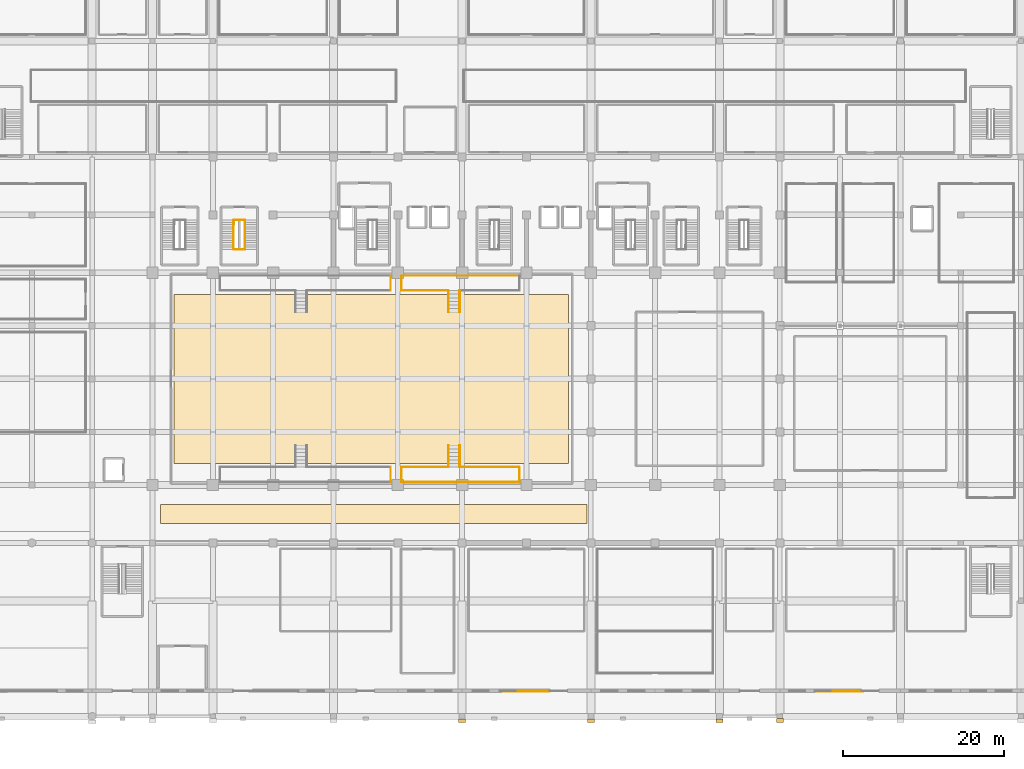
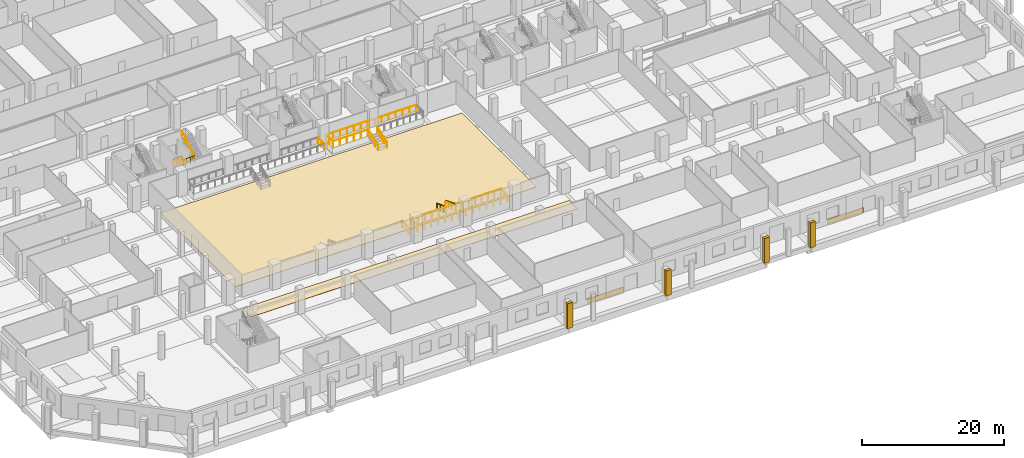
# One storey, part 28 of 33: 20 railings, 8 coverings.
"""IFC4 building model written with IfcOpenShell, lengths in metres."""

from ifc_helpers import new_model, si_unit, direction, frame, origin, origin_2d, place, context, subcontext, project, spatial, rectangle, circle, extrude, material, layer, layer_set, type_object, element, save


model = new_model("IFC4")

# Units and contexts
model_context = context("Model", 3, precision=1e-05, world=origin(), true_north=direction((0.0, 1.0)))
body_context = subcontext(model_context, "Body", "Model", "MODEL_VIEW")
ifc_project = project(units=[si_unit("LENGTHUNIT", "METRE"), si_unit("AREAUNIT", "SQUARE_METRE"), si_unit("VOLUMEUNIT", "CUBIC_METRE"), si_unit("PLANEANGLEUNIT", "RADIAN"), si_unit("MASSUNIT", "GRAM", prefix="KILO")], contexts=[model_context])

# Site, building, storey
site_placement = place(None, origin())
site = spatial("IfcSite", under=ifc_project, at=site_placement, CompositionType="ELEMENT")
building_placement = place(site_placement, origin())
building = spatial("IfcBuilding", under=site, at=building_placement, Name="Akrevak Sports Hall", CompositionType="ELEMENT")
storey_placement = place(building_placement, origin())
storey = spatial("IfcBuildingStorey", under=building, at=storey_placement, Name="L00", CompositionType="ELEMENT", Elevation=0.0)

# Coverings
ifc_material_1 = material(Name="Limestone Ashlar", Category="stone")
ifc_layer_1 = layer(ifc_material_1, 0.080078125, Name="Limestone Ashlar")
ifc_layer_set_1 = layer_set([ifc_layer_1], Name="Limestone Ashlar")
covering_type_1 = type_object("IfcCoveringType", Name="ARC-COV-CLAD-LIM", PredefinedType="CLADDING", material=ifc_layer_set_1)
for number, where, z_axis, x_axis, name in (
    (1, (84.0, 3.159912109375, 0.02490234375), (0.0, 0.0, 1.0), (1.0, 0.0, 0.0), "Arcade Limestone Plinth Band S03"),
    (2, (123.0, 3.159912109375, 0.02490234375), (0.0, 0.0, 1.0), (1.0, 0.0, 0.0), "Arcade Limestone Plinth Band S04"),
):
    element("IfcCovering", number, at=place(storey_placement, frame(where, z_axis=z_axis, x_axis=x_axis)), inside=storey, type_object=covering_type_1, Name=name, PredefinedType="CLADDING", context=body_context, shape_type="SweptSolid", body=[
        extrude(rectangle(XDim=5.800048828125, YDim=0.080078125, at=origin_2d()), origin(), (0.0, 0.0, 1.0), 0.85009765625),
    ])
ifc_material_2 = material(Name="Sprung Hard Maple Sports Flooring", Category="wood")
ifc_layer_2 = layer(ifc_material_2, 0.044921875, Name="Sprung Hard Maple Sports Flooring")
ifc_layer_set_2 = layer_set([ifc_layer_2], Name="Sprung Hard Maple Sports Flooring")
covering_type_2 = type_object("IfcCoveringType", Name="ARC-COV-FLR-MAPLE", PredefinedType="FLOORING", material=ifc_layer_set_2)
covering_1_placement = place(storey_placement, frame((64.699951171875, 42.0, 0.0), z_axis=(0.0, 0.0, 1.0), x_axis=(1.0, 0.0, 0.0)))
element("IfcCovering", 3, at=covering_1_placement, inside=storey, type_object=covering_type_2, Name="IHF Handball Sprung Maple Court Floor", PredefinedType="FLOORING", context=body_context, shape_type="SweptSolid", body=[
    extrude(rectangle(XDim=49.0, YDim=21.0, at=origin_2d()), origin(), (0.0, 0.0, 1.0), 0.044921875),
])
ifc_material_3 = material(Name="Polished Marmara Marble Terrazzo", Category="stone")
ifc_layer_3 = layer(ifc_material_3, 0.034912109375, Name="Polished Marmara Marble Terrazzo")
ifc_layer_set_3 = layer_set([ifc_layer_3], Name="Polished Marmara Marble Terrazzo")
covering_type_3 = type_object("IfcCoveringType", Name="ARC-COV-FLR-TERZ", PredefinedType="FLOORING", material=ifc_layer_set_3)
covering_2_placement = place(storey_placement, frame((65.0, 25.199951171875, 0.0), z_axis=(0.0, 0.0, 1.0), x_axis=(1.0, 0.0, 0.0)))
element("IfcCovering", 4, at=covering_2_placement, inside=storey, type_object=covering_type_3, Name="South Promenade Terrazzo Flooring", PredefinedType="FLOORING", context=body_context, shape_type="SweptSolid", body=[
    extrude(rectangle(XDim=53.0, YDim=2.39990234375, at=origin_2d()), origin(), (0.0, 0.0, 1.0), 0.034912109375),
])
ifc_layer_4 = layer(ifc_material_1, 0.47998046875, Name="Limestone Ashlar")
ifc_layer_set_4 = layer_set([ifc_layer_4], Name="Limestone Ashlar")
covering_type_4 = type_object("IfcCoveringType", Name="ARC-COV-PIL-LIM", PredefinedType="CLADDING", material=ifc_layer_set_4)
for number, where, z_axis, x_axis, name in (
    (5, (76.0, -0.52490234375, 0.0), (0.0, 0.0, 1.0), (1.0, 0.0, 0.0), "Giant-Order Limestone Pilaster L00-01-06"),
    (6, (92.0, -0.52490234375, 0.0), (0.0, 0.0, 1.0), (1.0, 0.0, 0.0), "Giant-Order Limestone Pilaster L00-01-07"),
    (7, (108.0, -0.52490234375, 0.0), (0.0, 0.0, 1.0), (1.0, 0.0, 0.0), "Giant-Order Limestone Pilaster L00-01-08"),
    (8, (115.5, -0.47509765625, 0.0), (0.0, 0.0, 1.0), (1.0, 0.0, 0.0), "Giant-Order Limestone Pilaster L00-01-09"),
):
    element("IfcCovering", number, at=place(storey_placement, frame(where, z_axis=z_axis, x_axis=x_axis)), inside=storey, type_object=covering_type_4, Name=name, PredefinedType="CLADDING", context=body_context, shape_type="SweptSolid", body=[
        extrude(rectangle(XDim=0.8798828125, YDim=0.4599609375, at=origin_2d()), origin(), (0.0, 0.0, 1.0), 4.300048828125),
    ])

# Railings
ifc_material_4 = material(Name="Painted Architectural Balustrade Steel", Category="steel")
ifc_layer_5 = layer(ifc_material_4, 0.06005859375, Name="Painted Architectural Balustrade Steel")
ifc_layer_set_5 = layer_set([ifc_layer_5], Name="Painted Architectural Balustrade Steel")
railing_type_1 = type_object("IfcRailingType", Name="ARC-RL-GRD-1120", PredefinedType="GUARDRAIL", material=ifc_layer_set_5)
railing_1_placement = place(storey_placement, frame((47.6201171875, 61.215087890625, 0.0)))
element("IfcRailing", 9, at=railing_1_placement, inside=storey, type_object=railing_type_1, Name="Stair Floor Landing Well Guard ST4 (L00)", PredefinedType="GUARDRAIL", context=body_context, shape_type="SweptSolid", body=[
    extrude(circle(Radius=0.02392578125, at=origin_2d()), frame((0.0, 0.0, 1.09619140625), z_axis=(0.0, 1.0, 0.0), x_axis=(-1.0, 0.0, 0.0)), (0.0, 0.0, 1.0), 0.5498046875),
    extrude(circle(Radius=0.02392578125, at=origin_2d()), frame((0.0, 0.5498046875, 1.09619140625), z_axis=(1.0, 0.0, 0.0), x_axis=(0.0, 1.0, 0.0)), (0.0, 0.0, 1.0), 1.389892578125),
    extrude(circle(Radius=0.02099609375, at=origin_2d()), origin(), (0.0, 0.0, 1.0), 1.072021484375),
    extrude(circle(Radius=0.02099609375, at=origin_2d()), frame((0.0, 0.5498046875, 0.0)), (0.0, 0.0, 1.0), 1.072021484375),
    extrude(circle(Radius=0.02099609375, at=origin_2d()), frame((0.69482421875, 0.5498046875, 0.0)), (0.0, 0.0, 1.0), 1.072021484375),
    extrude(circle(Radius=0.02099609375, at=origin_2d()), frame((1.389892578125, 0.5498046875, 0.0)), (0.0, 0.0, 1.0), 1.072021484375),
])
railing_2_placement = place(storey_placement, frame((47.590087890625, 58.06494140625, 2.300048828125)))
element("IfcRailing", 10, at=railing_2_placement, inside=storey, type_object=railing_type_1, Name="Stair Landing Well Guard ST4-L00-1", PredefinedType="GUARDRAIL", context=body_context, shape_type="SweptSolid", body=[
    extrude(circle(Radius=0.02392578125, at=origin_2d()), frame((0.0, 0.0, 1.09619140625), z_axis=(1.0, 0.0, 0.0), x_axis=(0.0, 1.0, 0.0)), (0.0, 0.0, 1.0), 1.389892578125),
    extrude(circle(Radius=0.02392578125, at=origin_2d()), frame((1.389892578125, 0.0, 1.09619140625), z_axis=(0.0, 1.0, 0.0), x_axis=(-1.0, 0.0, 0.0)), (0.0, 0.0, 1.0), 0.52001953125),
    extrude(circle(Radius=0.02099609375, at=origin_2d()), origin(), (0.0, 0.0, 1.0), 1.072021484375),
    extrude(circle(Radius=0.02099609375, at=origin_2d()), frame((0.69482421875, 0.0, 0.0)), (0.0, 0.0, 1.0), 1.072021484375),
    extrude(circle(Radius=0.02099609375, at=origin_2d()), frame((1.389892578125, 0.0, 0.0)), (0.0, 0.0, 1.0), 1.072021484375),
    extrude(circle(Radius=0.02099609375, at=origin_2d()), frame((1.389892578125, 0.52001953125, 0.0)), (0.0, 0.0, 1.0), 1.072021484375),
])
for number, where, name in (
    (11, (74.280029296875, 33.719970703125, 0.0), "Handball South Stand Gangway 2 Side Guardrail L"),
    (12, (75.719970703125, 33.719970703125, 0.0), "Handball South Stand Gangway 2 Side Guardrail R"),
):
    element("IfcRailing", number, at=place(storey_placement, frame(where)), inside=storey, type_object=railing_type_1, Name=name, PredefinedType="GUARDRAIL", context=body_context, shape_type="SweptSolid", body=[
        extrude(circle(Radius=0.02392578125, at=origin_2d()), frame((0.0, 0.0, 1.09619140625), z_axis=(0.0, -0.931996763482, 0.362466595509), x_axis=(1.0, 0.0, 0.0)), (0.0, 0.0, 1.0), 2.89697265625),
        extrude(circle(Radius=0.02099609375, at=origin_2d()), origin(), (0.0, 0.0, 1.0), 1.072021484375),
        extrude(circle(Radius=0.02099609375, at=origin_2d()), frame((0.0, -0.89990234375, 0.35009765625)), (0.0, 0.0, 1.0), 1.072021484375),
        extrude(circle(Radius=0.02099609375, at=origin_2d()), frame((0.0, -1.800048828125, 0.699951171875)), (0.0, 0.0, 1.0), 1.072021484375),
        extrude(circle(Radius=0.02099609375, at=origin_2d()), frame((0.0, -2.699951171875, 1.050048828125)), (0.0, 0.0, 1.0), 1.072021484375),
    ])
for number, where, name in (
    (13, (74.280029296875, 50.280029296875, 0.0), "Handball North Stand Gangway 4 Side Guardrail L"),
    (14, (75.719970703125, 50.280029296875, 0.0), "Handball North Stand Gangway 4 Side Guardrail R"),
):
    element("IfcRailing", number, at=place(storey_placement, frame(where)), inside=storey, type_object=railing_type_1, Name=name, PredefinedType="GUARDRAIL", context=body_context, shape_type="SweptSolid", body=[
        extrude(circle(Radius=0.02392578125, at=origin_2d()), frame((0.0, 0.0, 1.09619140625), z_axis=(0.0, 0.931996763482, 0.362466595509), x_axis=(-1.0, 0.0, 0.0)), (0.0, 0.0, 1.0), 2.89697265625),
        extrude(circle(Radius=0.02099609375, at=origin_2d()), origin(), (0.0, 0.0, 1.0), 1.072021484375),
        extrude(circle(Radius=0.02099609375, at=origin_2d()), frame((0.0, 0.89990234375, 0.35009765625)), (0.0, 0.0, 1.0), 1.072021484375),
        extrude(circle(Radius=0.02099609375, at=origin_2d()), frame((0.0, 1.800048828125, 0.699951171875)), (0.0, 0.0, 1.0), 1.072021484375),
        extrude(circle(Radius=0.02099609375, at=origin_2d()), frame((0.0, 2.699951171875, 1.050048828125)), (0.0, 0.0, 1.0), 1.072021484375),
    ])
railing_3_placement = place(storey_placement, frame((67.1201171875, 29.179931640625, 1.050048828125)))
element("IfcRailing", 15, at=railing_3_placement, inside=storey, type_object=railing_type_1, Name="Spectator Stand Crowd Barrier HB-S1-E", PredefinedType="GUARDRAIL", context=body_context, shape_type="SweptSolid", body=[
    extrude(circle(Radius=0.02392578125, at=origin_2d()), frame((0.0, 0.0, 1.09619140625), z_axis=(0.0, 1.0, 0.0), x_axis=(-1.0, 0.0, 0.0)), (0.0, 0.0, 1.0), 1.840087890625),
    extrude(circle(Radius=0.02099609375, at=origin_2d()), origin(), (0.0, 0.0, 1.0), 1.072021484375),
    extrude(circle(Radius=0.02099609375, at=origin_2d()), frame((0.0, 0.919921875, 0.0)), (0.0, 0.0, 1.0), 1.072021484375),
    extrude(circle(Radius=0.02099609375, at=origin_2d()), frame((0.0, 1.840087890625, 0.0)), (0.0, 0.0, 1.0), 1.072021484375),
])
railing_4_placement = place(storey_placement, frame((68.47998046875, 29.179931640625, 1.050048828125)))
element("IfcRailing", 16, at=railing_4_placement, inside=storey, type_object=railing_type_1, Name="Spectator Stand Crowd Barrier HB-S2-BACK", PredefinedType="GUARDRAIL", context=body_context, shape_type="SweptSolid", body=[
    extrude(circle(Radius=0.02392578125, at=origin_2d()), frame((0.0, 0.0, 1.09619140625), z_axis=(1.0, 0.0, 0.0), x_axis=(0.0, 1.0, 0.0)), (0.0, 0.0, 1.0), 14.64013671875),
    extrude(circle(Radius=0.02099609375, at=origin_2d()), origin(), (0.0, 0.0, 1.0), 1.072021484375),
    extrude(circle(Radius=0.02099609375, at=origin_2d()), frame((1.126220703125, 0.0, 0.0)), (0.0, 0.0, 1.0), 1.072021484375),
    extrude(circle(Radius=0.02099609375, at=origin_2d()), frame((2.25244140625, 0.0, 0.0)), (0.0, 0.0, 1.0), 1.072021484375),
    extrude(circle(Radius=0.02099609375, at=origin_2d()), frame((3.37841796875, 0.0, 0.0)), (0.0, 0.0, 1.0), 1.072021484375),
    extrude(circle(Radius=0.02099609375, at=origin_2d()), frame((4.504638671875, 0.0, 0.0)), (0.0, 0.0, 1.0), 1.072021484375),
    extrude(circle(Radius=0.02099609375, at=origin_2d()), frame((5.630859375, 0.0, 0.0)), (0.0, 0.0, 1.0), 1.072021484375),
    extrude(circle(Radius=0.02099609375, at=origin_2d()), frame((6.757080078125, 0.0, 0.0)), (0.0, 0.0, 1.0), 1.072021484375),
    extrude(circle(Radius=0.02099609375, at=origin_2d()), frame((7.883056640625, 0.0, 0.0)), (0.0, 0.0, 1.0), 1.072021484375),
    extrude(circle(Radius=0.02099609375, at=origin_2d()), frame((9.00927734375, 0.0, 0.0)), (0.0, 0.0, 1.0), 1.072021484375),
    extrude(circle(Radius=0.02099609375, at=origin_2d()), frame((10.135498046875, 0.0, 0.0)), (0.0, 0.0, 1.0), 1.072021484375),
    extrude(circle(Radius=0.02099609375, at=origin_2d()), frame((11.26171875, 0.0, 0.0)), (0.0, 0.0, 1.0), 1.072021484375),
    extrude(circle(Radius=0.02099609375, at=origin_2d()), frame((12.3876953125, 0.0, 0.0)), (0.0, 0.0, 1.0), 1.072021484375),
    extrude(circle(Radius=0.02099609375, at=origin_2d()), frame((13.513916015625, 0.0, 0.0)), (0.0, 0.0, 1.0), 1.072021484375),
    extrude(circle(Radius=0.02099609375, at=origin_2d()), frame((14.64013671875, 0.0, 0.0)), (0.0, 0.0, 1.0), 1.072021484375),
])
for number, where, name in (
    (17, (68.47998046875, 29.179931640625, 1.050048828125), "Spectator Stand Crowd Barrier HB-S2-W"),
    (18, (83.1201171875, 29.179931640625, 1.050048828125), "Spectator Stand Crowd Barrier HB-S2-E"),
):
    element("IfcRailing", number, at=place(storey_placement, frame(where)), inside=storey, type_object=railing_type_1, Name=name, PredefinedType="GUARDRAIL", context=body_context, shape_type="SweptSolid", body=[
        extrude(circle(Radius=0.02392578125, at=origin_2d()), frame((0.0, 0.0, 1.09619140625), z_axis=(0.0, 1.0, 0.0), x_axis=(-1.0, 0.0, 0.0)), (0.0, 0.0, 1.0), 1.840087890625),
        extrude(circle(Radius=0.02099609375, at=origin_2d()), origin(), (0.0, 0.0, 1.0), 1.072021484375),
        extrude(circle(Radius=0.02099609375, at=origin_2d()), frame((0.0, 0.919921875, 0.0)), (0.0, 0.0, 1.0), 1.072021484375),
        extrude(circle(Radius=0.02099609375, at=origin_2d()), frame((0.0, 1.840087890625, 0.0)), (0.0, 0.0, 1.0), 1.072021484375),
    ])
railing_5_placement = place(storey_placement, frame((68.47998046875, 31.02001953125, 1.050048828125)))
element("IfcRailing", 19, at=railing_5_placement, inside=storey, type_object=railing_type_1, Name="Spectator Stand Crowd Barrier HB-S2-FR-L", PredefinedType="GUARDRAIL", context=body_context, shape_type="SweptSolid", body=[
    extrude(circle(Radius=0.02392578125, at=origin_2d()), frame((0.0, 0.0, 1.09619140625), z_axis=(1.0, 0.0, 0.0), x_axis=(0.0, 1.0, 0.0)), (0.0, 0.0, 1.0), 5.68994140625),
    extrude(circle(Radius=0.02099609375, at=origin_2d()), origin(), (0.0, 0.0, 1.0), 1.072021484375),
    extrude(circle(Radius=0.02099609375, at=origin_2d()), frame((1.137939453125, 0.0, 0.0)), (0.0, 0.0, 1.0), 1.072021484375),
    extrude(circle(Radius=0.02099609375, at=origin_2d()), frame((2.27587890625, 0.0, 0.0)), (0.0, 0.0, 1.0), 1.072021484375),
    extrude(circle(Radius=0.02099609375, at=origin_2d()), frame((3.4140625, 0.0, 0.0)), (0.0, 0.0, 1.0), 1.072021484375),
    extrude(circle(Radius=0.02099609375, at=origin_2d()), frame((4.552001953125, 0.0, 0.0)), (0.0, 0.0, 1.0), 1.072021484375),
    extrude(circle(Radius=0.02099609375, at=origin_2d()), frame((5.68994140625, 0.0, 0.0)), (0.0, 0.0, 1.0), 1.072021484375),
])
railing_6_placement = place(storey_placement, frame((75.830078125, 31.02001953125, 1.050048828125)))
element("IfcRailing", 20, at=railing_6_placement, inside=storey, type_object=railing_type_1, Name="Spectator Stand Crowd Barrier HB-S2-FR-R", PredefinedType="GUARDRAIL", context=body_context, shape_type="SweptSolid", body=[
    extrude(circle(Radius=0.02392578125, at=origin_2d()), frame((0.0, 0.0, 1.09619140625), z_axis=(1.0, 0.0, 0.0), x_axis=(0.0, 1.0, 0.0)), (0.0, 0.0, 1.0), 7.2900390625),
    extrude(circle(Radius=0.02099609375, at=origin_2d()), origin(), (0.0, 0.0, 1.0), 1.072021484375),
    extrude(circle(Radius=0.02099609375, at=origin_2d()), frame((1.04150390625, 0.0, 0.0)), (0.0, 0.0, 1.0), 1.072021484375),
    extrude(circle(Radius=0.02099609375, at=origin_2d()), frame((2.082763671875, 0.0, 0.0)), (0.0, 0.0, 1.0), 1.072021484375),
    extrude(circle(Radius=0.02099609375, at=origin_2d()), frame((3.124267578125, 0.0, 0.0)), (0.0, 0.0, 1.0), 1.072021484375),
    extrude(circle(Radius=0.02099609375, at=origin_2d()), frame((4.165771484375, 0.0, 0.0)), (0.0, 0.0, 1.0), 1.072021484375),
    extrude(circle(Radius=0.02099609375, at=origin_2d()), frame((5.207275390625, 0.0, 0.0)), (0.0, 0.0, 1.0), 1.072021484375),
    extrude(circle(Radius=0.02099609375, at=origin_2d()), frame((6.24853515625, 0.0, 0.0)), (0.0, 0.0, 1.0), 1.072021484375),
    extrude(circle(Radius=0.02099609375, at=origin_2d()), frame((7.2900390625, 0.0, 0.0)), (0.0, 0.0, 1.0), 1.072021484375),
])
railing_7_placement = place(storey_placement, frame((67.1201171875, 52.97998046875, 1.050048828125)))
element("IfcRailing", 21, at=railing_7_placement, inside=storey, type_object=railing_type_1, Name="Spectator Stand Crowd Barrier HB-N1-E", PredefinedType="GUARDRAIL", context=body_context, shape_type="SweptSolid", body=[
    extrude(circle(Radius=0.02392578125, at=origin_2d()), frame((0.0, 0.0, 1.09619140625), z_axis=(0.0, 1.0, 0.0), x_axis=(-1.0, 0.0, 0.0)), (0.0, 0.0, 1.0), 1.840087890625),
    extrude(circle(Radius=0.02099609375, at=origin_2d()), origin(), (0.0, 0.0, 1.0), 1.072021484375),
    extrude(circle(Radius=0.02099609375, at=origin_2d()), frame((0.0, 0.919921875, 0.0)), (0.0, 0.0, 1.0), 1.072021484375),
    extrude(circle(Radius=0.02099609375, at=origin_2d()), frame((0.0, 1.840087890625, 0.0)), (0.0, 0.0, 1.0), 1.072021484375),
])
railing_8_placement = place(storey_placement, frame((68.47998046875, 54.820068359375, 1.050048828125)))
element("IfcRailing", 22, at=railing_8_placement, inside=storey, type_object=railing_type_1, Name="Spectator Stand Crowd Barrier HB-N2-BACK", PredefinedType="GUARDRAIL", context=body_context, shape_type="SweptSolid", body=[
    extrude(circle(Radius=0.02392578125, at=origin_2d()), frame((0.0, 0.0, 1.09619140625), z_axis=(1.0, 0.0, 0.0), x_axis=(0.0, 1.0, 0.0)), (0.0, 0.0, 1.0), 14.64013671875),
    extrude(circle(Radius=0.02099609375, at=origin_2d()), origin(), (0.0, 0.0, 1.0), 1.072021484375),
    extrude(circle(Radius=0.02099609375, at=origin_2d()), frame((1.126220703125, 0.0, 0.0)), (0.0, 0.0, 1.0), 1.072021484375),
    extrude(circle(Radius=0.02099609375, at=origin_2d()), frame((2.25244140625, 0.0, 0.0)), (0.0, 0.0, 1.0), 1.072021484375),
    extrude(circle(Radius=0.02099609375, at=origin_2d()), frame((3.37841796875, 0.0, 0.0)), (0.0, 0.0, 1.0), 1.072021484375),
    extrude(circle(Radius=0.02099609375, at=origin_2d()), frame((4.504638671875, 0.0, 0.0)), (0.0, 0.0, 1.0), 1.072021484375),
    extrude(circle(Radius=0.02099609375, at=origin_2d()), frame((5.630859375, 0.0, 0.0)), (0.0, 0.0, 1.0), 1.072021484375),
    extrude(circle(Radius=0.02099609375, at=origin_2d()), frame((6.757080078125, 0.0, 0.0)), (0.0, 0.0, 1.0), 1.072021484375),
    extrude(circle(Radius=0.02099609375, at=origin_2d()), frame((7.883056640625, 0.0, 0.0)), (0.0, 0.0, 1.0), 1.072021484375),
    extrude(circle(Radius=0.02099609375, at=origin_2d()), frame((9.00927734375, 0.0, 0.0)), (0.0, 0.0, 1.0), 1.072021484375),
    extrude(circle(Radius=0.02099609375, at=origin_2d()), frame((10.135498046875, 0.0, 0.0)), (0.0, 0.0, 1.0), 1.072021484375),
    extrude(circle(Radius=0.02099609375, at=origin_2d()), frame((11.26171875, 0.0, 0.0)), (0.0, 0.0, 1.0), 1.072021484375),
    extrude(circle(Radius=0.02099609375, at=origin_2d()), frame((12.3876953125, 0.0, 0.0)), (0.0, 0.0, 1.0), 1.072021484375),
    extrude(circle(Radius=0.02099609375, at=origin_2d()), frame((13.513916015625, 0.0, 0.0)), (0.0, 0.0, 1.0), 1.072021484375),
    extrude(circle(Radius=0.02099609375, at=origin_2d()), frame((14.64013671875, 0.0, 0.0)), (0.0, 0.0, 1.0), 1.072021484375),
])
railing_9_placement = place(storey_placement, frame((68.47998046875, 52.97998046875, 1.050048828125)))
element("IfcRailing", 23, at=railing_9_placement, inside=storey, type_object=railing_type_1, Name="Spectator Stand Crowd Barrier HB-N2-W", PredefinedType="GUARDRAIL", context=body_context, shape_type="SweptSolid", body=[
    extrude(circle(Radius=0.02392578125, at=origin_2d()), frame((0.0, 0.0, 1.09619140625), z_axis=(0.0, 1.0, 0.0), x_axis=(-1.0, 0.0, 0.0)), (0.0, 0.0, 1.0), 1.840087890625),
    extrude(circle(Radius=0.02099609375, at=origin_2d()), origin(), (0.0, 0.0, 1.0), 1.072021484375),
    extrude(circle(Radius=0.02099609375, at=origin_2d()), frame((0.0, 0.919921875, 0.0)), (0.0, 0.0, 1.0), 1.072021484375),
    extrude(circle(Radius=0.02099609375, at=origin_2d()), frame((0.0, 1.840087890625, 0.0)), (0.0, 0.0, 1.0), 1.072021484375),
])
railing_10_placement = place(storey_placement, frame((68.47998046875, 52.97998046875, 1.050048828125)))
element("IfcRailing", 24, at=railing_10_placement, inside=storey, type_object=railing_type_1, Name="Spectator Stand Crowd Barrier HB-N2-FR-L", PredefinedType="GUARDRAIL", context=body_context, shape_type="SweptSolid", body=[
    extrude(circle(Radius=0.02392578125, at=origin_2d()), frame((0.0, 0.0, 1.09619140625), z_axis=(1.0, 0.0, 0.0), x_axis=(0.0, 1.0, 0.0)), (0.0, 0.0, 1.0), 5.68994140625),
    extrude(circle(Radius=0.02099609375, at=origin_2d()), origin(), (0.0, 0.0, 1.0), 1.072021484375),
    extrude(circle(Radius=0.02099609375, at=origin_2d()), frame((1.137939453125, 0.0, 0.0)), (0.0, 0.0, 1.0), 1.072021484375),
    extrude(circle(Radius=0.02099609375, at=origin_2d()), frame((2.27587890625, 0.0, 0.0)), (0.0, 0.0, 1.0), 1.072021484375),
    extrude(circle(Radius=0.02099609375, at=origin_2d()), frame((3.4140625, 0.0, 0.0)), (0.0, 0.0, 1.0), 1.072021484375),
    extrude(circle(Radius=0.02099609375, at=origin_2d()), frame((4.552001953125, 0.0, 0.0)), (0.0, 0.0, 1.0), 1.072021484375),
    extrude(circle(Radius=0.02099609375, at=origin_2d()), frame((5.68994140625, 0.0, 0.0)), (0.0, 0.0, 1.0), 1.072021484375),
])
ifc_material_5 = material(Name="Brushed Stainless Steel 304", Category="steel")
ifc_layer_6 = layer(ifc_material_5, 0.050048828125, Name="Brushed Stainless Steel 304")
ifc_layer_set_6 = layer_set([ifc_layer_6], Name="Brushed Stainless Steel 304")
railing_type_2 = type_object("IfcRailingType", Name="ARC-RL-HND-900", PredefinedType="HANDRAIL", material=ifc_layer_set_6)
railing_11_placement = place(storey_placement, frame((47.590087890625, 61.735107421875, 0.0)))
element("IfcRailing", 25, at=railing_11_placement, inside=storey, type_object=railing_type_2, Name="Stair Handrail ST4-L00-F1", PredefinedType="HANDRAIL", context=body_context, shape_type="SweptSolid", body=[
    extrude(circle(Radius=0.02392578125, at=origin_2d()), frame((0.0, 0.0, 0.8759765625), z_axis=(0.0, -0.845382449256, 0.534161505998), x_axis=(1.0, 0.0, 0.0)), (0.0, 0.0, 1.0), 4.305908203125),
    extrude(circle(Radius=0.02099609375, at=origin_2d()), origin(), (0.0, 0.0, 1.0), 0.851806640625),
    extrude(circle(Radius=0.02099609375, at=origin_2d()), frame((0.0, -0.91015625, 0.574951171875)), (0.0, 0.0, 1.0), 0.851806640625),
    extrude(circle(Radius=0.02099609375, at=origin_2d()), frame((0.0, -1.820068359375, 1.14990234375)), (0.0, 0.0, 1.0), 0.851806640625),
    extrude(circle(Radius=0.02099609375, at=origin_2d()), frame((0.0, -2.72998046875, 1.72509765625)), (0.0, 0.0, 1.0), 0.851806640625),
    extrude(circle(Radius=0.02099609375, at=origin_2d()), frame((0.0, -3.64013671875, 2.300048828125)), (0.0, 0.0, 1.0), 0.851806640625),
])
railing_12_placement = place(storey_placement, frame((49.010009765625, 58.094970703125, 2.300048828125)))
element("IfcRailing", 26, at=railing_12_placement, inside=storey, type_object=railing_type_2, Name="Stair Handrail ST4-L00-F2", PredefinedType="HANDRAIL", context=body_context, shape_type="SweptSolid", body=[
    extrude(circle(Radius=0.02392578125, at=origin_2d()), frame((0.0, 0.0, 0.8759765625), z_axis=(0.0, 0.845382449256, 0.534161505998), x_axis=(-1.0, 0.0, 0.0)), (0.0, 0.0, 1.0), 4.305908203125),
    extrude(circle(Radius=0.02099609375, at=origin_2d()), origin(), (0.0, 0.0, 1.0), 0.851806640625),
    extrude(circle(Radius=0.02099609375, at=origin_2d()), frame((0.0, 0.91015625, 0.574951171875)), (0.0, 0.0, 1.0), 0.851806640625),
    extrude(circle(Radius=0.02099609375, at=origin_2d()), frame((0.0, 1.820068359375, 1.14990234375)), (0.0, 0.0, 1.0), 0.851806640625),
    extrude(circle(Radius=0.02099609375, at=origin_2d()), frame((0.0, 2.72998046875, 1.72509765625)), (0.0, 0.0, 1.0), 0.851806640625),
    extrude(circle(Radius=0.02099609375, at=origin_2d()), frame((0.0, 3.64013671875, 2.300048828125)), (0.0, 0.0, 1.0), 0.851806640625),
])
railing_13_placement = place(storey_placement, frame((75.669921875, 33.719970703125, 0.0)))
element("IfcRailing", 27, at=railing_13_placement, inside=storey, type_object=railing_type_2, Name="Handball South Stand Gangway 2 Handrail", PredefinedType="HANDRAIL", context=body_context, shape_type="SweptSolid", body=[
    extrude(circle(Radius=0.02392578125, at=origin_2d()), frame((0.0, 0.0, 0.8759765625), z_axis=(0.0, -0.931996763482, 0.362466595509), x_axis=(1.0, 0.0, 0.0)), (0.0, 0.0, 1.0), 2.89697265625),
    extrude(circle(Radius=0.02099609375, at=origin_2d()), origin(), (0.0, 0.0, 1.0), 0.851806640625),
    extrude(circle(Radius=0.02099609375, at=origin_2d()), frame((0.0, -0.89990234375, 0.35009765625)), (0.0, 0.0, 1.0), 0.851806640625),
    extrude(circle(Radius=0.02099609375, at=origin_2d()), frame((0.0, -1.800048828125, 0.699951171875)), (0.0, 0.0, 1.0), 0.851806640625),
    extrude(circle(Radius=0.02099609375, at=origin_2d()), frame((0.0, -2.699951171875, 1.050048828125)), (0.0, 0.0, 1.0), 0.851806640625),
])
railing_14_placement = place(storey_placement, frame((75.669921875, 50.280029296875, 0.0)))
element("IfcRailing", 28, at=railing_14_placement, inside=storey, type_object=railing_type_2, Name="Handball North Stand Gangway 4 Handrail", PredefinedType="HANDRAIL", context=body_context, shape_type="SweptSolid", body=[
    extrude(circle(Radius=0.02392578125, at=origin_2d()), frame((0.0, 0.0, 0.8759765625), z_axis=(0.0, 0.931996763482, 0.362466595509), x_axis=(-1.0, 0.0, 0.0)), (0.0, 0.0, 1.0), 2.89697265625),
    extrude(circle(Radius=0.02099609375, at=origin_2d()), origin(), (0.0, 0.0, 1.0), 0.851806640625),
    extrude(circle(Radius=0.02099609375, at=origin_2d()), frame((0.0, 0.89990234375, 0.35009765625)), (0.0, 0.0, 1.0), 0.851806640625),
    extrude(circle(Radius=0.02099609375, at=origin_2d()), frame((0.0, 1.800048828125, 0.699951171875)), (0.0, 0.0, 1.0), 0.851806640625),
    extrude(circle(Radius=0.02099609375, at=origin_2d()), frame((0.0, 2.699951171875, 1.050048828125)), (0.0, 0.0, 1.0), 0.851806640625),
])

save(model, "model.ifc")
